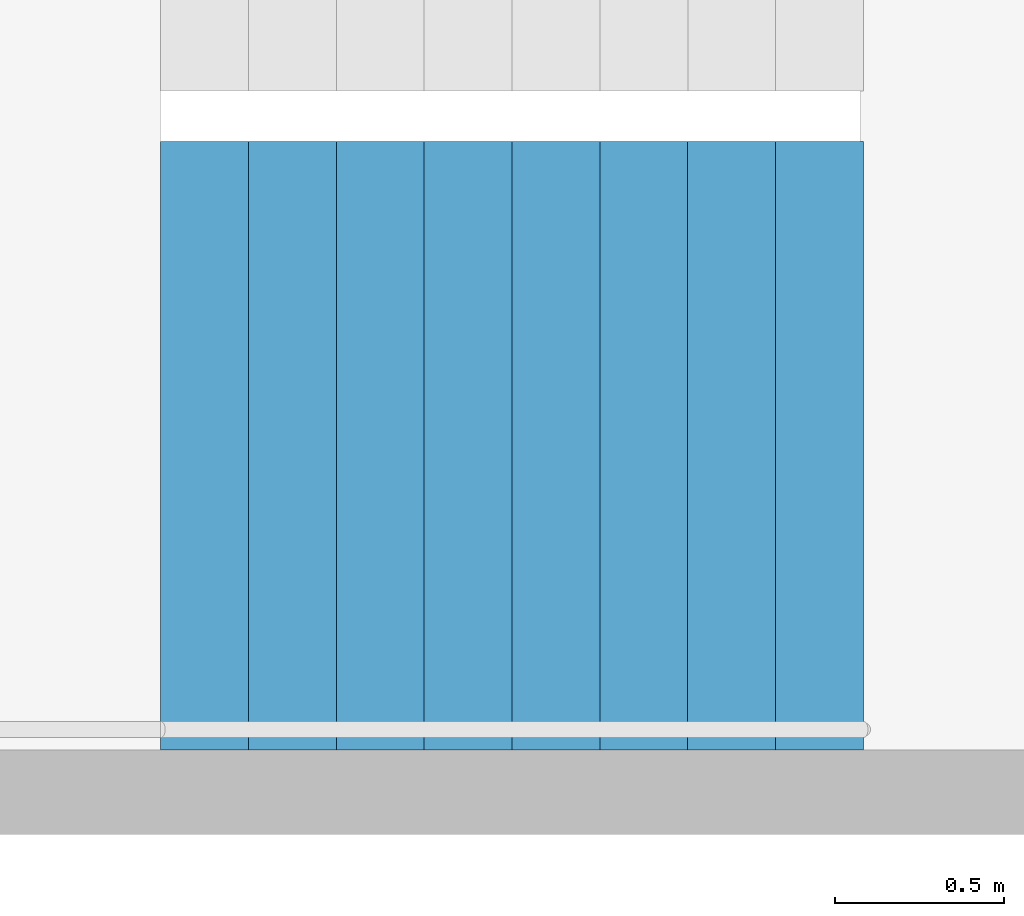
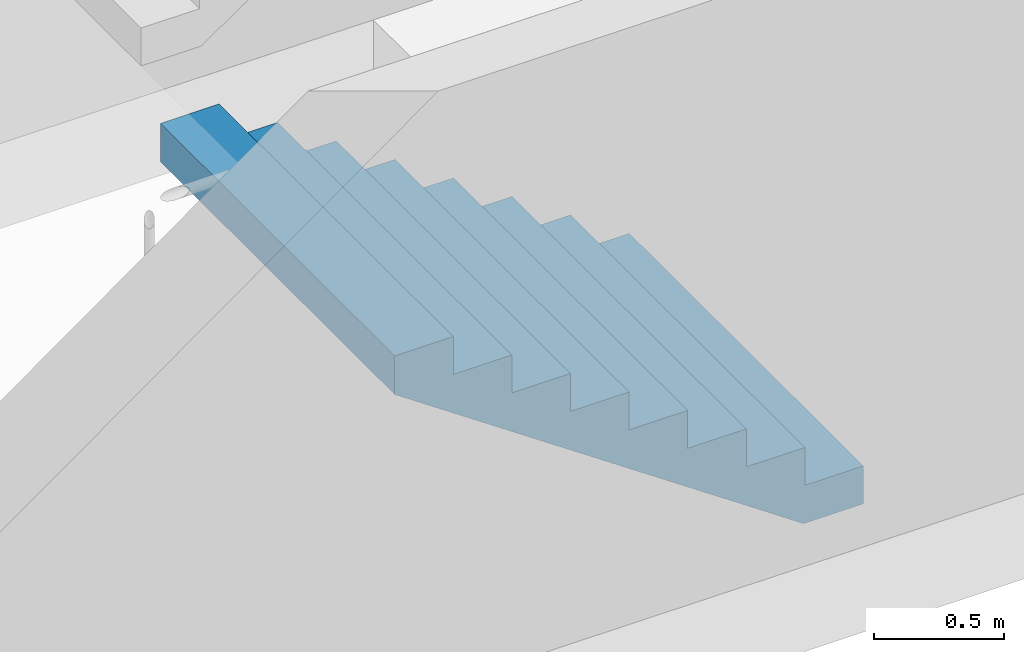
# One storey, part 26 of 28: 1 stair flight, 1 element without a shape of its own.
"""IFC4 building model written with IfcOpenShell, lengths in metres."""

import ifcopenshell
import ifcopenshell.guid

model = None  # the IFC model being written
_history = None  # IfcOwnerHistory: only IFC2X3 demands one
_inside = {}  # id of a spatial element -> (the spatial element, [elements in it])
_under = {}  # id of a project, library or spatial element -> (it, [spatial elements below it])
_declared = {}  # id of a project -> (the project, [libraries it declares])
_typed = {}  # id of a type object -> (the type object, [elements of that type])
_made_of = {}  # id of a material, layer set ... -> (it, [elements and type objects made of it])


def new_model(schema):
    """Start an empty IFC model of exactly this schema.

    Asked for "IFC4X3", IfcOpenShell would pick the latest addendum, in which some entities
    have other attributes; the version numbers below select the first issue.
    IFC2X3 requires an IfcOwnerHistory on every rooted entity: one is made here for all.
    """
    global model, _history
    if schema == "IFC4X3":
        model = ifcopenshell.file(schema_version=(4, 3, 0, 0))
    else:
        model = ifcopenshell.file(schema=schema)
    _inside.clear()
    _under.clear()
    _declared.clear()
    _typed.clear()
    _made_of.clear()
    _history = None
    if model.schema == "IFC2X3":
        org = make("IfcOrganization", Name="unknown")
        user = make(
            "IfcPersonAndOrganization",
            ThePerson=make("IfcPerson", FamilyName="unknown"),
            TheOrganization=org,
        )
        app = make(
            "IfcApplication",
            ApplicationDeveloper=org,
            Version="unknown",
            ApplicationFullName="unknown",
            ApplicationIdentifier="unknown",
        )
        _history = make(
            "IfcOwnerHistory",
            OwningUser=user,
            OwningApplication=app,
            ChangeAction="ADDED",
            CreationDate=0,
        )
    return model


def make(cls, **values):
    """One entity of the class cls with the attributes given. An attribute that is None is left unset."""
    return model.create_entity(
        cls, **{name: value for name, value in values.items() if value is not None}
    )


def rooted(cls, **values):
    """An entity with a GlobalId (a new one), such as an element, a storey or a relation."""
    return make(cls, GlobalId=ifcopenshell.guid.new(), OwnerHistory=_history, **values)


def si_unit(unit_type, name, prefix=None):
    """IfcSIUnit, for example si_unit("LENGTHUNIT", "METRE", prefix="MILLI")."""
    return make("IfcSIUnit", UnitType=unit_type, Prefix=prefix, Name=name)


def assignment(units):
    """IfcUnitAssignment: the units of a project."""
    return None if units is None else make("IfcUnitAssignment", Units=units)


def point(xyz):
    """IfcCartesianPoint."""
    return None if xyz is None else make("IfcCartesianPoint", Coordinates=xyz)


def direction(xyz):
    """IfcDirection."""
    return None if xyz is None else make("IfcDirection", DirectionRatios=xyz)


def frame(location, z_axis=None, x_axis=None):
    """IfcAxis2Placement3D, a coordinate frame: its origin and axes. An axis left out is left unset."""
    return make(
        "IfcAxis2Placement3D",
        Location=point(location),
        Axis=direction(z_axis),
        RefDirection=direction(x_axis),
    )


def origin():
    """The frame at (0, 0, 0) with its axes left unset."""
    return frame((0.0, 0.0, 0.0))


def place(relative_to, where):
    """IfcLocalPlacement: puts the frame where relative to a parent placement (None: the world)."""
    return make(
        "IfcLocalPlacement", PlacementRelTo=relative_to, RelativePlacement=where
    )


def context(
    kind, dimensions, precision=None, world=None, true_north=None, identifier=None
):
    """IfcGeometricRepresentationContext, for example the 3D "Model" context."""
    return make(
        "IfcGeometricRepresentationContext",
        ContextIdentifier=identifier,
        ContextType=kind,
        CoordinateSpaceDimension=dimensions,
        Precision=precision,
        WorldCoordinateSystem=world,
        TrueNorth=true_north,
    )


def subcontext(parent, identifier, kind, view, scale=None):
    """IfcGeometricRepresentationSubContext, for example "Body" below "Model"."""
    return make(
        "IfcGeometricRepresentationSubContext",
        ContextIdentifier=identifier,
        ContextType=kind,
        ParentContext=parent,
        TargetScale=scale,
        TargetView=view,
    )


def project(units=None, contexts=None):
    """IfcProject with its units and contexts."""
    return rooted(
        "IfcProject",
        Name="project",
        RepresentationContexts=contexts,
        UnitsInContext=assignment(units),
    )


def spatial(cls, under=None, at=None, **own):
    """A site, building, storey or space (cls), placed at a placement, below another one or the project."""
    s = rooted(cls, ObjectPlacement=at, **own)
    if under is not None:
        _under.setdefault(under.id(), (under, []))[1].append(s)
    return s


def point_list(points):
    """IfcCartesianPointList2D or 3D."""
    cls = (
        "IfcCartesianPointList2D" if len(points[0]) == 2 else "IfcCartesianPointList3D"
    )
    return make(cls, CoordList=points)


def triangles(points, corners, closed=None, point_numbers=None):
    """IfcTriangulatedFaceSet: each triangle names its three corners, points numbered from 1."""
    return make(
        "IfcTriangulatedFaceSet",
        Coordinates=point_list(points),
        Closed=closed,
        CoordIndex=corners,
        PnIndex=point_numbers,
    )


def shape(context_of_items, identifier, shape_type, items):
    """IfcShapeRepresentation: the items that make up one representation, for example the "Body"."""
    return make(
        "IfcShapeRepresentation",
        ContextOfItems=context_of_items,
        RepresentationIdentifier=identifier,
        RepresentationType=shape_type,
        Items=items,
    )


def material(Name=None, Category=None):
    """IfcMaterial."""
    return make("IfcMaterial", Name=Name, Category=Category)


def made_of(thing, what):
    """Note that an element or type object is made of a material, layer set ...; save() writes the relation."""
    if what is not None:
        _made_of.setdefault(what.id(), (what, []))[1].append(thing)
    return thing


def type_object(cls, material=None, **own):
    """A type object (cls), such as IfcWallType, which elements share."""
    return made_of(rooted(cls, **own), material)


def element(
    cls,
    number,
    at=None,
    inside=None,
    cuts=None,
    type_object=None,
    material=None,
    context=None,
    identifier="Body",
    shape_type=None,
    held_by="IfcProductDefinitionShape",
    body=None,
    shapes=None,
    **own,
):
    """One element of the class cls, such as IfcWall. Its Tag is "e" and its number.

    at: its placement. inside: the storey or other place that contains it. cuts: it is an
    opening in that element (IfcRelVoidsElement). A single representation is given by context,
    identifier, shape_type and body (its items); several are given by shapes. held_by: the class
    of the entity that holds the representations. save() writes the other relations.
    """
    e = rooted(cls, Tag="e%d" % number, ObjectPlacement=at, **own)
    if body is not None:
        shapes = [shape(context, identifier, shape_type, body)]
    if shapes is not None:
        e.Representation = make(held_by, Representations=shapes)
    if inside is not None:
        _inside.setdefault(inside.id(), (inside, []))[1].append(e)
    if cuts is not None:
        rooted(
            "IfcRelVoidsElement", RelatingBuildingElement=cuts, RelatedOpeningElement=e
        )
    if type_object is not None:
        _typed.setdefault(type_object.id(), (type_object, []))[1].append(e)
    return made_of(e, material)


def aggregate(whole, parts):
    """IfcRelAggregates: a whole, such as a stair, and the parts it consists of."""
    return rooted("IfcRelAggregates", RelatingObject=whole, RelatedObjects=parts)


def save(model, path):
    """Write the relations noted so far, then the file.

    IfcRelAggregates (storeys below a building ...), IfcRelContainedInSpatialStructure (elements
    in a storey), IfcRelDefinesByType, IfcRelAssociatesMaterial and IfcRelDeclares: one each for
    every whole, place, type object, material and project.
    """
    for whole, parts in _under.values():
        aggregate(whole, parts)
    for where, things in _inside.values():
        rooted(
            "IfcRelContainedInSpatialStructure",
            RelatedElements=things,
            RelatingStructure=where,
        )
    for kind, things in _typed.values():
        rooted("IfcRelDefinesByType", RelatedObjects=things, RelatingType=kind)
    for what, things in _made_of.values():
        rooted("IfcRelAssociatesMaterial", RelatedObjects=things, RelatingMaterial=what)
    for by, libraries in _declared.values():
        rooted("IfcRelDeclares", RelatingContext=by, RelatedDefinitions=libraries)
    model.write(path)


model = new_model("IFC4")

# Units and contexts
model_context = context("Model", 3, precision=1e-05, world=origin(), true_north=direction((0.0, 1.0)))
body_context = subcontext(model_context, "Body", "Model", "MODEL_VIEW")
ifc_project = project(units=[si_unit("LENGTHUNIT", "METRE"), si_unit("AREAUNIT", "SQUARE_METRE"), si_unit("VOLUMEUNIT", "CUBIC_METRE"), si_unit("PLANEANGLEUNIT", "RADIAN"), si_unit("MASSUNIT", "GRAM", prefix="KILO")], contexts=[model_context])

# Site, building, storey
site_placement = place(None, origin())
site = spatial("IfcSite", under=ifc_project, at=site_placement, CompositionType="ELEMENT")
building_placement = place(site_placement, origin())
building = spatial("IfcBuilding", under=site, at=building_placement, Name="Hakoniwa Tower and Hamabe Station Hall", CompositionType="ELEMENT")
storey_placement = place(building_placement, frame((0.0, 0.0, 58.199951171875)))
storey = spatial("IfcBuildingStorey", under=building, at=storey_placement, Name="L16", CompositionType="ELEMENT", Elevation=58.199951171875)

# Stair, stair flight
ifc_material_1 = material(Name="Concrete C40", Category="concrete")
stair_type = type_object("IfcStairType", Name="ESCAPE STAIR 1800", PredefinedType="HALF_TURN_STAIR", material=ifc_material_1)
stair_placement = place(storey_placement, origin())
stair = element("IfcStair", 1, at=stair_placement, inside=storey, type_object=stair_type, Name="Escape stair ST-3 L16", PredefinedType="HALF_TURN_STAIR")
ifc_material_2 = material(Name="Concrete C40", Category="concrete")
stair_flight_type = type_object("IfcStairFlightType", Name="STAIR FLIGHT 1800", PredefinedType="STRAIGHT", material=ifc_material_2)
stair_flight_placement = place(storey_placement, frame((24.39990234375, 4.64990234375, 0.0), z_axis=(0.0, 0.0, 1.0), x_axis=(-1.0, 0.0, 0.0)))
stair_flight = element("IfcStairFlight", 2, at=stair_flight_placement, type_object=stair_flight_type, Name="ST-3 flight 1", NumberOfRisers=9, NumberOfTreads=8, PredefinedType="STRAIGHT", RiserHeight=0.177777778, TreadLength=0.26, context=body_context, shape_type="Tessellation", body=[
    triangles([(0.0, 0.89990234375, 0.0), (0.260009765625, 0.89990234375, 0.0), (0.265625, 0.89990234375, 0.0), (0.52001953125, 0.89990234375, 0.174072265625), (0.780029296875, 0.89990234375, 0.351806640625), (1.0400390625, 0.89990234375, 0.529541015625), (1.300048828125, 0.89990234375, 0.707275390625), (1.56005859375, 0.89990234375, 0.885009765625), (1.820068359375, 0.89990234375, 1.062744140625), (2.080078125, 0.89990234375, 1.24072265625), (2.080078125, 0.89990234375, 1.422119140625), (1.820068359375, 0.89990234375, 1.422119140625), (1.820068359375, 0.89990234375, 1.244384765625), (1.56005859375, 0.89990234375, 1.244384765625), (1.56005859375, 0.89990234375, 1.066650390625), (1.300048828125, 0.89990234375, 1.066650390625), (1.300048828125, 0.89990234375, 0.888916015625), (1.0400390625, 0.89990234375, 0.888916015625), (1.0400390625, 0.89990234375, 0.711181640625), (0.780029296875, 0.89990234375, 0.711181640625), (0.780029296875, 0.89990234375, 0.533447265625), (0.52001953125, 0.89990234375, 0.533447265625), (0.52001953125, 0.89990234375, 0.35546875), (0.265625, 0.89990234375, 0.35546875), (0.260009765625, 0.89990234375, 0.35546875), (0.260009765625, 0.89990234375, 0.177734375), (0.0, 0.89990234375, 0.177734375), (0.0, 0.06005859375, 0.0), (0.260009765625, 0.06005859375, 0.0), (0.265625, 0.06005859375, 0.0), (0.52001953125, 0.06005859375, 0.174072265625), (0.780029296875, 0.06005859375, 0.351806640625), (1.0400390625, 0.06005859375, 0.529541015625), (1.300048828125, 0.06005859375, 0.707275390625), (1.56005859375, 0.06005859375, 0.885009765625), (1.820068359375, 0.06005859375, 1.062744140625), (2.080078125, 0.06005859375, 1.24072265625), (2.080078125, 0.06005859375, 1.422119140625), (1.820068359375, 0.06005859375, 1.422119140625), (1.820068359375, 0.06005859375, 1.244384765625), (1.56005859375, 0.06005859375, 1.244384765625), (1.56005859375, 0.06005859375, 1.066650390625), (1.300048828125, 0.06005859375, 1.066650390625), (1.300048828125, 0.06005859375, 0.888916015625), (1.0400390625, 0.06005859375, 0.888916015625), (1.0400390625, 0.06005859375, 0.711181640625), (0.780029296875, 0.06005859375, 0.711181640625), (0.780029296875, 0.06005859375, 0.533447265625), (0.52001953125, 0.06005859375, 0.533447265625), (0.52001953125, 0.06005859375, 0.35546875), (0.265625, 0.06005859375, 0.35546875), (0.260009765625, 0.06005859375, 0.35546875), (0.260009765625, 0.06005859375, 0.177734375), (0.0, 0.06005859375, 0.177734375), (0.0, 0.04296875, 0.0), (0.260009765625, 0.04296875, 0.0), (0.265625, 0.04296875, 0.0), (0.52001953125, 0.04296875, 0.174072265625), (0.780029296875, 0.04296875, 0.351806640625), (1.0400390625, 0.04296875, 0.529541015625), (1.300048828125, 0.04296875, 0.707275390625), (1.56005859375, 0.04296875, 0.885009765625), (1.820068359375, 0.04296875, 1.062744140625), (2.080078125, 0.04296875, 1.24072265625), (2.080078125, 0.04296875, 1.422119140625), (1.820068359375, 0.04296875, 1.422119140625), (1.820068359375, 0.04296875, 1.244384765625), (1.56005859375, 0.04296875, 1.244384765625), (1.56005859375, 0.04296875, 1.066650390625), (1.300048828125, 0.04296875, 1.066650390625), (1.300048828125, 0.04296875, 0.888916015625), (1.0400390625, 0.04296875, 0.888916015625), (1.0400390625, 0.04296875, 0.711181640625), (0.780029296875, 0.04296875, 0.711181640625), (0.780029296875, 0.04296875, 0.533447265625), (0.52001953125, 0.04296875, 0.533447265625), (0.52001953125, 0.04296875, 0.35546875), (0.265625, 0.04296875, 0.35546875), (0.260009765625, 0.04296875, 0.35546875), (0.260009765625, 0.04296875, 0.177734375), (0.0, 0.04296875, 0.177734375), (0.0, 0.025634765625, 0.0), (0.260009765625, 0.025634765625, 0.0), (0.265625, 0.025634765625, 0.0), (0.52001953125, 0.025634765625, 0.174072265625), (0.780029296875, 0.025634765625, 0.351806640625), (1.0400390625, 0.025634765625, 0.529541015625), (1.300048828125, 0.025634765625, 0.707275390625), (1.56005859375, 0.025634765625, 0.885009765625), (1.820068359375, 0.025634765625, 1.062744140625), (2.080078125, 0.025634765625, 1.24072265625), (2.080078125, 0.025634765625, 1.422119140625), (1.820068359375, 0.025634765625, 1.422119140625), (1.820068359375, 0.025634765625, 1.244384765625), (1.56005859375, 0.025634765625, 1.244384765625), (1.56005859375, 0.025634765625, 1.066650390625), (1.300048828125, 0.025634765625, 1.066650390625), (1.300048828125, 0.025634765625, 0.888916015625), (1.0400390625, 0.025634765625, 0.888916015625), (1.0400390625, 0.025634765625, 0.711181640625), (0.780029296875, 0.025634765625, 0.711181640625), (0.780029296875, 0.025634765625, 0.533447265625), (0.52001953125, 0.025634765625, 0.533447265625), (0.52001953125, 0.025634765625, 0.35546875), (0.265625, 0.025634765625, 0.35546875), (0.260009765625, 0.025634765625, 0.35546875), (0.260009765625, 0.025634765625, 0.177734375), (0.0, 0.025634765625, 0.177734375), (0.0, 0.008544921875, 0.0), (0.260009765625, 0.008544921875, 0.0), (0.265625, 0.008544921875, 0.0), (0.52001953125, 0.008544921875, 0.174072265625), (0.780029296875, 0.008544921875, 0.351806640625), (1.0400390625, 0.008544921875, 0.529541015625), (1.300048828125, 0.008544921875, 0.707275390625), (1.56005859375, 0.008544921875, 0.885009765625), (1.820068359375, 0.008544921875, 1.062744140625), (2.080078125, 0.008544921875, 1.24072265625), (2.080078125, 0.008544921875, 1.422119140625), (1.820068359375, 0.008544921875, 1.422119140625), (1.820068359375, 0.008544921875, 1.244384765625), (1.56005859375, 0.008544921875, 1.244384765625), (1.56005859375, 0.008544921875, 1.066650390625), (1.300048828125, 0.008544921875, 1.066650390625), (1.300048828125, 0.008544921875, 0.888916015625), (1.0400390625, 0.008544921875, 0.888916015625), (1.0400390625, 0.008544921875, 0.711181640625), (0.780029296875, 0.008544921875, 0.711181640625), (0.780029296875, 0.008544921875, 0.533447265625), (0.52001953125, 0.008544921875, 0.533447265625), (0.52001953125, 0.008544921875, 0.35546875), (0.265625, 0.008544921875, 0.35546875), (0.260009765625, 0.008544921875, 0.35546875), (0.260009765625, 0.008544921875, 0.177734375), (0.0, 0.008544921875, 0.177734375), (0.0, -0.008544921875, 0.0), (0.260009765625, -0.008544921875, 0.0), (0.265625, -0.008544921875, 0.0), (0.52001953125, -0.008544921875, 0.174072265625), (0.780029296875, -0.008544921875, 0.351806640625), (1.0400390625, -0.008544921875, 0.529541015625), (1.300048828125, -0.008544921875, 0.707275390625), (1.56005859375, -0.008544921875, 0.885009765625), (1.820068359375, -0.008544921875, 1.062744140625), (2.080078125, -0.008544921875, 1.24072265625), (2.080078125, -0.008544921875, 1.422119140625), (1.820068359375, -0.008544921875, 1.422119140625), (1.820068359375, -0.008544921875, 1.244384765625), (1.56005859375, -0.008544921875, 1.244384765625), (1.56005859375, -0.008544921875, 1.066650390625), (1.300048828125, -0.008544921875, 1.066650390625), (1.300048828125, -0.008544921875, 0.888916015625), (1.0400390625, -0.008544921875, 0.888916015625), (1.0400390625, -0.008544921875, 0.711181640625), (0.780029296875, -0.008544921875, 0.711181640625), (0.780029296875, -0.008544921875, 0.533447265625), (0.52001953125, -0.008544921875, 0.533447265625), (0.52001953125, -0.008544921875, 0.35546875), (0.265625, -0.008544921875, 0.35546875), (0.260009765625, -0.008544921875, 0.35546875), (0.260009765625, -0.008544921875, 0.177734375), (0.0, -0.008544921875, 0.177734375), (0.0, -0.025634765625, 0.0), (0.260009765625, -0.025634765625, 0.0), (0.265625, -0.025634765625, 0.0), (0.52001953125, -0.025634765625, 0.174072265625), (0.780029296875, -0.025634765625, 0.351806640625), (1.0400390625, -0.025634765625, 0.529541015625), (1.300048828125, -0.025634765625, 0.707275390625), (1.56005859375, -0.025634765625, 0.885009765625), (1.820068359375, -0.025634765625, 1.062744140625), (2.080078125, -0.025634765625, 1.24072265625), (2.080078125, -0.025634765625, 1.422119140625), (1.820068359375, -0.025634765625, 1.422119140625), (1.820068359375, -0.025634765625, 1.244384765625), (1.56005859375, -0.025634765625, 1.244384765625), (1.56005859375, -0.025634765625, 1.066650390625), (1.300048828125, -0.025634765625, 1.066650390625), (1.300048828125, -0.025634765625, 0.888916015625), (1.0400390625, -0.025634765625, 0.888916015625), (1.0400390625, -0.025634765625, 0.711181640625), (0.780029296875, -0.025634765625, 0.711181640625), (0.780029296875, -0.025634765625, 0.533447265625), (0.52001953125, -0.025634765625, 0.533447265625), (0.52001953125, -0.025634765625, 0.35546875), (0.265625, -0.025634765625, 0.35546875), (0.260009765625, -0.025634765625, 0.35546875), (0.260009765625, -0.025634765625, 0.177734375), (0.0, -0.025634765625, 0.177734375), (0.0, -0.04296875, 0.0), (0.260009765625, -0.04296875, 0.0), (0.265625, -0.04296875, 0.0), (0.52001953125, -0.04296875, 0.174072265625), (0.780029296875, -0.04296875, 0.351806640625), (1.0400390625, -0.04296875, 0.529541015625), (1.300048828125, -0.04296875, 0.707275390625), (1.56005859375, -0.04296875, 0.885009765625), (1.820068359375, -0.04296875, 1.062744140625), (2.080078125, -0.04296875, 1.24072265625), (2.080078125, -0.04296875, 1.422119140625), (1.820068359375, -0.04296875, 1.422119140625), (1.820068359375, -0.04296875, 1.244384765625), (1.56005859375, -0.04296875, 1.244384765625), (1.56005859375, -0.04296875, 1.066650390625), (1.300048828125, -0.04296875, 1.066650390625), (1.300048828125, -0.04296875, 0.888916015625), (1.0400390625, -0.04296875, 0.888916015625), (1.0400390625, -0.04296875, 0.711181640625), (0.780029296875, -0.04296875, 0.711181640625), (0.780029296875, -0.04296875, 0.533447265625), (0.52001953125, -0.04296875, 0.533447265625), (0.52001953125, -0.04296875, 0.35546875), (0.265625, -0.04296875, 0.35546875), (0.260009765625, -0.04296875, 0.35546875), (0.260009765625, -0.04296875, 0.177734375), (0.0, -0.04296875, 0.177734375), (0.0, -0.06005859375, 0.0), (0.260009765625, -0.06005859375, 0.0), (0.265625, -0.06005859375, 0.0), (0.52001953125, -0.06005859375, 0.174072265625), (0.780029296875, -0.06005859375, 0.351806640625), (1.0400390625, -0.06005859375, 0.529541015625), (1.300048828125, -0.06005859375, 0.707275390625), (1.56005859375, -0.06005859375, 0.885009765625), (1.820068359375, -0.06005859375, 1.062744140625), (2.080078125, -0.06005859375, 1.24072265625), (2.080078125, -0.06005859375, 1.422119140625), (1.820068359375, -0.06005859375, 1.422119140625), (1.820068359375, -0.06005859375, 1.244384765625), (1.56005859375, -0.06005859375, 1.244384765625), (1.56005859375, -0.06005859375, 1.066650390625), (1.300048828125, -0.06005859375, 1.066650390625), (1.300048828125, -0.06005859375, 0.888916015625), (1.0400390625, -0.06005859375, 0.888916015625), (1.0400390625, -0.06005859375, 0.711181640625), (0.780029296875, -0.06005859375, 0.711181640625), (0.780029296875, -0.06005859375, 0.533447265625), (0.52001953125, -0.06005859375, 0.533447265625), (0.52001953125, -0.06005859375, 0.35546875), (0.265625, -0.06005859375, 0.35546875), (0.260009765625, -0.06005859375, 0.35546875), (0.260009765625, -0.06005859375, 0.177734375), (0.0, -0.06005859375, 0.177734375), (0.0, -0.89990234375, 0.0), (0.260009765625, -0.89990234375, 0.0), (0.265625, -0.89990234375, 0.0), (0.52001953125, -0.89990234375, 0.174072265625), (0.780029296875, -0.89990234375, 0.351806640625), (1.0400390625, -0.89990234375, 0.529541015625), (1.300048828125, -0.89990234375, 0.707275390625), (1.56005859375, -0.89990234375, 0.885009765625), (1.820068359375, -0.89990234375, 1.062744140625), (2.080078125, -0.89990234375, 1.24072265625), (2.080078125, -0.89990234375, 1.422119140625), (1.820068359375, -0.89990234375, 1.422119140625), (1.820068359375, -0.89990234375, 1.244384765625), (1.56005859375, -0.89990234375, 1.244384765625), (1.56005859375, -0.89990234375, 1.066650390625), (1.300048828125, -0.89990234375, 1.066650390625), (1.300048828125, -0.89990234375, 0.888916015625), (1.0400390625, -0.89990234375, 0.888916015625), (1.0400390625, -0.89990234375, 0.711181640625), (0.780029296875, -0.89990234375, 0.711181640625), (0.780029296875, -0.89990234375, 0.533447265625), (0.52001953125, -0.89990234375, 0.533447265625), (0.52001953125, -0.89990234375, 0.35546875), (0.265625, -0.89990234375, 0.35546875), (0.260009765625, -0.89990234375, 0.35546875), (0.260009765625, -0.89990234375, 0.177734375), (0.0, -0.89990234375, 0.177734375)], [[2, 27, 26], [245, 269, 270], [2, 1, 27], [245, 270, 244], [3, 25, 24], [246, 267, 268], [3, 26, 25], [246, 268, 269], [3, 2, 26], [246, 269, 245], [4, 24, 23], [247, 266, 267], [4, 3, 24], [247, 267, 246], [5, 22, 21], [248, 264, 265], [5, 23, 22], [248, 265, 266], [5, 4, 23], [248, 266, 247], [6, 20, 19], [249, 262, 263], [6, 21, 20], [249, 263, 264], [6, 5, 21], [249, 264, 248], [7, 18, 17], [250, 260, 261], [7, 19, 18], [250, 261, 262], [7, 6, 19], [250, 262, 249], [8, 16, 15], [251, 258, 259], [8, 17, 16], [251, 259, 260], [8, 7, 17], [251, 260, 250], [9, 14, 13], [252, 256, 257], [9, 15, 14], [252, 257, 258], [9, 8, 15], [252, 258, 251], [10, 12, 11], [253, 254, 255], [10, 13, 12], [253, 255, 256], [10, 9, 13], [253, 256, 252], [1, 2, 29], [1, 29, 28], [28, 29, 56], [28, 56, 55], [55, 56, 83], [55, 83, 82], [82, 83, 110], [82, 110, 109], [109, 110, 137], [109, 137, 136], [136, 137, 164], [136, 164, 163], [163, 164, 191], [163, 191, 190], [190, 191, 218], [190, 218, 217], [217, 218, 245], [217, 245, 244], [2, 3, 30], [2, 30, 29], [29, 30, 57], [29, 57, 56], [56, 57, 84], [56, 84, 83], [83, 84, 111], [83, 111, 110], [110, 111, 138], [110, 138, 137], [137, 138, 165], [137, 165, 164], [164, 165, 192], [164, 192, 191], [191, 192, 219], [191, 219, 218], [218, 219, 246], [218, 246, 245], [3, 4, 31], [3, 31, 30], [30, 31, 58], [30, 58, 57], [57, 58, 85], [57, 85, 84], [84, 85, 112], [84, 112, 111], [111, 112, 139], [111, 139, 138], [138, 139, 166], [138, 166, 165], [165, 166, 193], [165, 193, 192], [192, 193, 220], [192, 220, 219], [219, 220, 247], [219, 247, 246], [4, 5, 32], [4, 32, 31], [31, 32, 59], [31, 59, 58], [58, 59, 86], [58, 86, 85], [85, 86, 113], [85, 113, 112], [112, 113, 140], [112, 140, 139], [139, 140, 167], [139, 167, 166], [166, 167, 194], [166, 194, 193], [193, 194, 221], [193, 221, 220], [220, 221, 248], [220, 248, 247], [5, 6, 33], [5, 33, 32], [32, 33, 60], [32, 60, 59], [59, 60, 87], [59, 87, 86], [86, 87, 114], [86, 114, 113], [113, 114, 141], [113, 141, 140], [140, 141, 168], [140, 168, 167], [167, 168, 195], [167, 195, 194], [194, 195, 222], [194, 222, 221], [221, 222, 249], [221, 249, 248], [6, 7, 34], [6, 34, 33], [33, 34, 61], [33, 61, 60], [60, 61, 88], [60, 88, 87], [87, 88, 115], [87, 115, 114], [114, 115, 142], [114, 142, 141], [141, 142, 169], [141, 169, 168], [168, 169, 196], [168, 196, 195], [195, 196, 223], [195, 223, 222], [222, 223, 250], [222, 250, 249], [7, 8, 35], [7, 35, 34], [34, 35, 62], [34, 62, 61], [61, 62, 89], [61, 89, 88], [88, 89, 116], [88, 116, 115], [115, 116, 143], [115, 143, 142], [142, 143, 170], [142, 170, 169], [169, 170, 197], [169, 197, 196], [196, 197, 224], [196, 224, 223], [223, 224, 251], [223, 251, 250], [8, 9, 36], [8, 36, 35], [35, 36, 63], [35, 63, 62], [62, 63, 90], [62, 90, 89], [89, 90, 117], [89, 117, 116], [116, 117, 144], [116, 144, 143], [143, 144, 171], [143, 171, 170], [170, 171, 198], [170, 198, 197], [197, 198, 225], [197, 225, 224], [224, 225, 252], [224, 252, 251], [9, 10, 37], [9, 37, 36], [36, 37, 64], [36, 64, 63], [63, 64, 91], [63, 91, 90], [90, 91, 118], [90, 118, 117], [117, 118, 145], [117, 145, 144], [144, 145, 172], [144, 172, 171], [171, 172, 199], [171, 199, 198], [198, 199, 226], [198, 226, 225], [225, 226, 253], [225, 253, 252], [10, 11, 38], [10, 38, 37], [37, 38, 65], [37, 65, 64], [64, 65, 92], [64, 92, 91], [91, 92, 119], [91, 119, 118], [118, 119, 146], [118, 146, 145], [145, 146, 173], [145, 173, 172], [172, 173, 200], [172, 200, 199], [199, 200, 227], [199, 227, 226], [226, 227, 254], [226, 254, 253], [11, 12, 39], [11, 39, 38], [38, 39, 66], [38, 66, 65], [65, 66, 93], [65, 93, 92], [92, 93, 120], [92, 120, 119], [119, 120, 147], [119, 147, 146], [146, 147, 174], [146, 174, 173], [173, 174, 201], [173, 201, 200], [200, 201, 228], [200, 228, 227], [227, 228, 255], [227, 255, 254], [12, 13, 40], [12, 40, 39], [39, 40, 67], [39, 67, 66], [66, 67, 94], [66, 94, 93], [93, 94, 121], [93, 121, 120], [120, 121, 148], [120, 148, 147], [147, 148, 175], [147, 175, 174], [174, 175, 202], [174, 202, 201], [201, 202, 229], [201, 229, 228], [228, 229, 256], [228, 256, 255], [13, 14, 41], [13, 41, 40], [40, 41, 68], [40, 68, 67], [67, 68, 95], [67, 95, 94], [94, 95, 122], [94, 122, 121], [121, 122, 149], [121, 149, 148], [148, 149, 176], [148, 176, 175], [175, 176, 203], [175, 203, 202], [202, 203, 230], [202, 230, 229], [229, 230, 257], [229, 257, 256], [14, 15, 42], [14, 42, 41], [41, 42, 69], [41, 69, 68], [68, 69, 96], [68, 96, 95], [95, 96, 123], [95, 123, 122], [122, 123, 150], [122, 150, 149], [149, 150, 177], [149, 177, 176], [176, 177, 204], [176, 204, 203], [203, 204, 231], [203, 231, 230], [230, 231, 258], [230, 258, 257], [15, 16, 43], [15, 43, 42], [42, 43, 70], [42, 70, 69], [69, 70, 97], [69, 97, 96], [96, 97, 124], [96, 124, 123], [123, 124, 151], [123, 151, 150], [150, 151, 178], [150, 178, 177], [177, 178, 205], [177, 205, 204], [204, 205, 232], [204, 232, 231], [231, 232, 259], [231, 259, 258], [16, 17, 44], [16, 44, 43], [43, 44, 71], [43, 71, 70], [70, 71, 98], [70, 98, 97], [97, 98, 125], [97, 125, 124], [124, 125, 152], [124, 152, 151], [151, 152, 179], [151, 179, 178], [178, 179, 206], [178, 206, 205], [205, 206, 233], [205, 233, 232], [232, 233, 260], [232, 260, 259], [17, 18, 45], [17, 45, 44], [44, 45, 72], [44, 72, 71], [71, 72, 99], [71, 99, 98], [98, 99, 126], [98, 126, 125], [125, 126, 153], [125, 153, 152], [152, 153, 180], [152, 180, 179], [179, 180, 207], [179, 207, 206], [206, 207, 234], [206, 234, 233], [233, 234, 261], [233, 261, 260], [18, 19, 46], [18, 46, 45], [45, 46, 73], [45, 73, 72], [72, 73, 100], [72, 100, 99], [99, 100, 127], [99, 127, 126], [126, 127, 154], [126, 154, 153], [153, 154, 181], [153, 181, 180], [180, 181, 208], [180, 208, 207], [207, 208, 235], [207, 235, 234], [234, 235, 262], [234, 262, 261], [19, 20, 47], [19, 47, 46], [46, 47, 74], [46, 74, 73], [73, 74, 101], [73, 101, 100], [100, 101, 128], [100, 128, 127], [127, 128, 155], [127, 155, 154], [154, 155, 182], [154, 182, 181], [181, 182, 209], [181, 209, 208], [208, 209, 236], [208, 236, 235], [235, 236, 263], [235, 263, 262], [20, 21, 48], [20, 48, 47], [47, 48, 75], [47, 75, 74], [74, 75, 102], [74, 102, 101], [101, 102, 129], [101, 129, 128], [128, 129, 156], [128, 156, 155], [155, 156, 183], [155, 183, 182], [182, 183, 210], [182, 210, 209], [209, 210, 237], [209, 237, 236], [236, 237, 264], [236, 264, 263], [21, 22, 49], [21, 49, 48], [48, 49, 76], [48, 76, 75], [75, 76, 103], [75, 103, 102], [102, 103, 130], [102, 130, 129], [129, 130, 157], [129, 157, 156], [156, 157, 184], [156, 184, 183], [183, 184, 211], [183, 211, 210], [210, 211, 238], [210, 238, 237], [237, 238, 265], [237, 265, 264], [22, 23, 50], [22, 50, 49], [49, 50, 77], [49, 77, 76], [76, 77, 104], [76, 104, 103], [103, 104, 131], [103, 131, 130], [130, 131, 158], [130, 158, 157], [157, 158, 185], [157, 185, 184], [184, 185, 212], [184, 212, 211], [211, 212, 239], [211, 239, 238], [238, 239, 266], [238, 266, 265], [23, 24, 51], [23, 51, 50], [50, 51, 78], [50, 78, 77], [77, 78, 105], [77, 105, 104], [104, 105, 132], [104, 132, 131], [131, 132, 159], [131, 159, 158], [158, 159, 186], [158, 186, 185], [185, 186, 213], [185, 213, 212], [212, 213, 240], [212, 240, 239], [239, 240, 267], [239, 267, 266], [24, 25, 52], [24, 52, 51], [51, 52, 79], [51, 79, 78], [78, 79, 106], [78, 106, 105], [105, 106, 133], [105, 133, 132], [132, 133, 160], [132, 160, 159], [159, 160, 187], [159, 187, 186], [186, 187, 214], [186, 214, 213], [213, 214, 241], [213, 241, 240], [240, 241, 268], [240, 268, 267], [25, 26, 53], [25, 53, 52], [52, 53, 80], [52, 80, 79], [79, 80, 107], [79, 107, 106], [106, 107, 134], [106, 134, 133], [133, 134, 161], [133, 161, 160], [160, 161, 188], [160, 188, 187], [187, 188, 215], [187, 215, 214], [214, 215, 242], [214, 242, 241], [241, 242, 269], [241, 269, 268], [26, 27, 54], [26, 54, 53], [53, 54, 81], [53, 81, 80], [80, 81, 108], [80, 108, 107], [107, 108, 135], [107, 135, 134], [134, 135, 162], [134, 162, 161], [161, 162, 189], [161, 189, 188], [188, 189, 216], [188, 216, 215], [215, 216, 243], [215, 243, 242], [242, 243, 270], [242, 270, 269], [27, 1, 28], [27, 28, 54], [54, 28, 55], [54, 55, 81], [81, 55, 82], [81, 82, 108], [108, 82, 109], [108, 109, 135], [135, 109, 136], [135, 136, 162], [162, 136, 163], [162, 163, 189], [189, 163, 190], [189, 190, 216], [216, 190, 217], [216, 217, 243], [243, 217, 244], [243, 244, 270]], closed=True),
])
aggregate(stair, [stair_flight])

save(model, "model.ifc")
